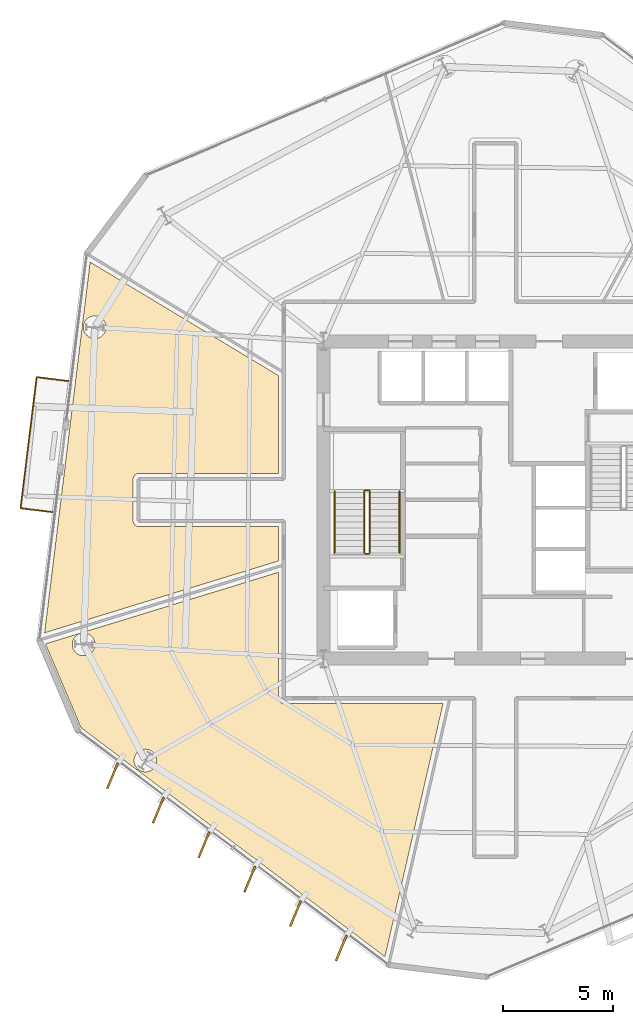
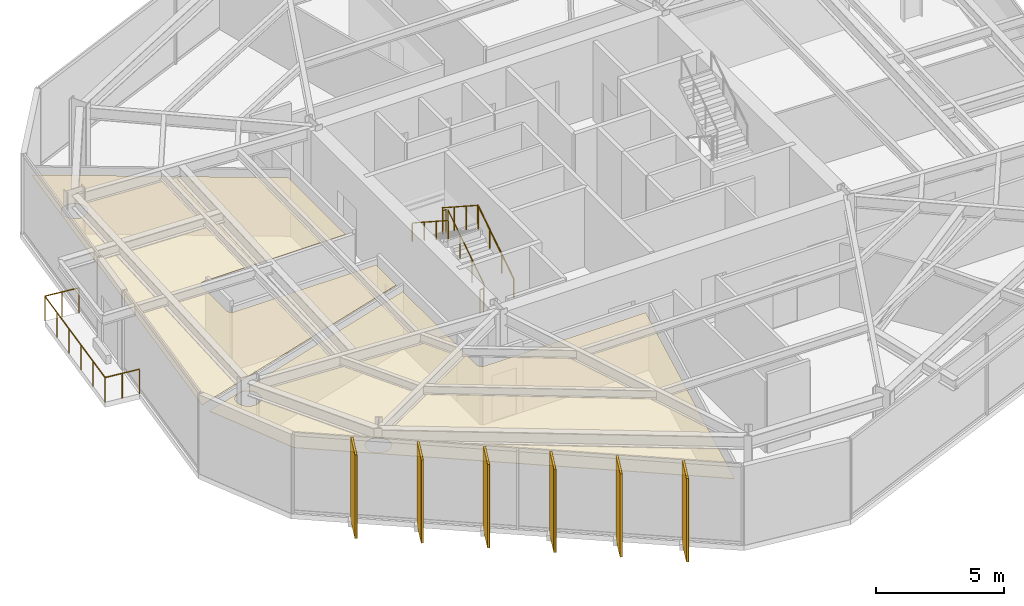
# One storey, part 9 of 11: 8 coverings, 7 railings, 6 shading devices.
"""IFC4 building model written with IfcOpenShell, lengths in metres."""

from ifc_helpers import new_model, si_unit, direction, frame, origin, origin_2d, place, context, subcontext, project, spatial, polyline, rectangle, circle, outline, extrude, material, layer, layer_set, type_object, element, save


model = new_model("IFC4")

# Units and contexts
model_context = context("Model", 3, precision=1e-05, world=origin(), true_north=direction((0.0, 1.0)))
body_context = subcontext(model_context, "Body", "Model", "MODEL_VIEW")
ifc_project = project(units=[si_unit("LENGTHUNIT", "METRE"), si_unit("AREAUNIT", "SQUARE_METRE"), si_unit("VOLUMEUNIT", "CUBIC_METRE"), si_unit("PLANEANGLEUNIT", "RADIAN"), si_unit("MASSUNIT", "GRAM", prefix="KILO")], contexts=[model_context])

# Site, building, storey
site_placement = place(None, origin())
site = spatial("IfcSite", under=ifc_project, at=site_placement, CompositionType="ELEMENT")
building_placement = place(site_placement, origin())
building = spatial("IfcBuilding", under=site, at=building_placement, Name="Kranzbogen Civic Tower", CompositionType="ELEMENT")
storey_placement = place(building_placement, frame((0.0, 0.0, 114.39990234375)))
storey = spatial("IfcBuildingStorey", under=building, at=storey_placement, Name="L27", CompositionType="ELEMENT", Elevation=114.39990234375)

# Coverings
ifc_material_1 = material(Name="Pale Anodised Aluminium", Category="aluminium")
ifc_layer_1 = layer(ifc_material_1, 0.02490234375, Name="Pale Anodised Aluminium")
ifc_layer_set_1 = layer_set([ifc_layer_1], Name="Pale Anodised Aluminium")
covering_type_1 = type_object("IfcCoveringType", Name="Anodised Aluminium Vertical Fin Cladding 25 mm", PredefinedType="CLADDING", material=ifc_layer_set_1)
for number, where, z_axis, x_axis, name in (
    (1, (7.623046875, 12.48095703125, -0.139892578125), (0.0, 0.0, 1.0), (-0.383231606105, -0.923652280938, 0.0), "L27 vertical fin pale-metal cladding F4-1"),
    (2, (9.699951171875, 10.9169921875, -0.139892578125), (0.0, 0.0, 1.0), (-0.383231606105, -0.923652280938, 0.0), "L27 vertical fin pale-metal cladding F4-2"),
    (3, (11.77587890625, 9.35205078125, -0.139892578125), (0.0, 0.0, 1.0), (-0.383231606105, -0.923652280938, 0.0), "L27 vertical fin pale-metal cladding F4-3"),
    (4, (13.85302734375, 7.787109375, -0.139892578125), (0.0, 0.0, 1.0), (-0.383231606105, -0.923652280938, 0.0), "L27 vertical fin pale-metal cladding F4-4"),
    (5, (15.928955078125, 6.222900390625, -0.139892578125), (0.0, 0.0, 1.0), (-0.383231606105, -0.923652280938, 0.0), "L27 vertical fin pale-metal cladding F4-5"),
    (6, (18.006103515625, 4.657958984375, -0.139892578125), (0.0, 0.0, 1.0), (-0.383231606105, -0.923652280938, 0.0), "L27 vertical fin pale-metal cladding F4-6"),
):
    element("IfcCovering", number, at=place(storey_placement, frame(where, z_axis=z_axis, x_axis=x_axis)), inside=storey, type_object=covering_type_1, Name=name, PredefinedType="CLADDING", context=body_context, shape_type="SweptSolid", body=[
        extrude(rectangle(XDim=1.25, YDim=0.10009765625, at=origin_2d()), origin(), (0.0, 0.0, 1.0), 3.9599609375),
    ])

# Shading devices
ifc_material_2 = material(Name="Anodised Bronze Aluminium", Category="aluminium")
shading_device_type = type_object("IfcShadingDeviceType", Name="Anodised Bronze Vertical Facade Fin 1250x80", PredefinedType="USERDEFINED", material=ifc_material_2)
for number, where, z_axis, x_axis, name in (
    (7, (7.623046875, 12.48095703125, -0.139892578125), (0.0, 0.0, 1.0), (-0.383231606105, -0.923652280938, 0.0), "L27 vertical exterior shading fin F4-1"),
    (8, (9.699951171875, 10.9169921875, -0.139892578125), (0.0, 0.0, 1.0), (-0.383231606105, -0.923652280938, 0.0), "L27 vertical exterior shading fin F4-2"),
    (9, (11.77587890625, 9.35205078125, -0.139892578125), (0.0, 0.0, 1.0), (-0.383231606105, -0.923652280938, 0.0), "L27 vertical exterior shading fin F4-3"),
    (10, (13.85302734375, 7.787109375, -0.139892578125), (0.0, 0.0, 1.0), (-0.383231606105, -0.923652280938, 0.0), "L27 vertical exterior shading fin F4-4"),
    (11, (15.928955078125, 6.222900390625, -0.139892578125), (0.0, 0.0, 1.0), (-0.383231606105, -0.923652280938, 0.0), "L27 vertical exterior shading fin F4-5"),
    (12, (18.006103515625, 4.657958984375, -0.139892578125), (0.0, 0.0, 1.0), (-0.383231606105, -0.923652280938, 0.0), "L27 vertical exterior shading fin F4-6"),
):
    element("IfcShadingDevice", number, at=place(storey_placement, frame(where, z_axis=z_axis, x_axis=x_axis)), inside=storey, type_object=shading_device_type, Name=name, ObjectType="FIN", PredefinedType="USERDEFINED", context=body_context, shape_type="SweptSolid", body=[
        extrude(rectangle(XDim=1.25, YDim=0.080078125, at=origin_2d()), origin(), (0.0, 0.0, 1.0), 3.9599609375),
    ])

# Railings
railing_type_1 = type_object("IfcRailingType", Name="Cantilevered Balcony Glass and Bronze Balustrade 1200", PredefinedType="BALUSTRADE", material=ifc_material_2)
railing_1_placement = place(storey_placement, frame((5.614013671875, 30.403076171875, 0.0)))
element("IfcRailing", 13, at=railing_1_placement, inside=storey, type_object=railing_type_1, Name="L27 exterior terrace balustrade L27-TB1", PredefinedType="BALUSTRADE", context=body_context, shape_type="SweptSolid", body=[
    extrude(circle(Radius=0.02392578125, at=origin_2d()), frame((0.0, 0.0, 1.17578125), z_axis=(-0.992519489123, 0.122086296168, 0.0), x_axis=(-0.122086296168, -0.992519489123, 0.0)), (0.0, 0.0, 1.0), 1.44970703125),
    extrude(circle(Radius=0.02392578125, at=origin_2d()), frame((-1.43896484375, 0.177001953125, 1.17578125), z_axis=(-0.121830819037, -0.99255088108, 0.0), x_axis=(0.99255088108, -0.121830819037, 0.0)), (0.0, 0.0, 1.0), 5.999755859375),
    extrude(circle(Radius=0.02392578125, at=origin_2d()), frame((-2.169921875, -5.778076171875, 1.17578125), z_axis=(0.992519489123, -0.122086296168, 0.0), x_axis=(0.122086296168, 0.992519489123, 0.0)), (0.0, 0.0, 1.0), 1.44970703125),
    extrude(circle(Radius=0.02099609375, at=origin_2d()), origin(), (0.0, 0.0, 1.0), 1.15185546875),
    extrude(circle(Radius=0.02099609375, at=origin_2d()), frame((-0.719482421875, 0.08837890625, 0.0)), (0.0, 0.0, 1.0), 1.15185546875),
    extrude(circle(Radius=0.02099609375, at=origin_2d()), frame((-1.43896484375, 0.177001953125, 0.0)), (0.0, 0.0, 1.0), 1.15185546875),
    extrude(circle(Radius=0.02099609375, at=origin_2d()), frame((-1.585205078125, -1.013916015625, 0.0)), (0.0, 0.0, 1.0), 1.15185546875),
    extrude(circle(Radius=0.02099609375, at=origin_2d()), frame((-1.7314453125, -2.205078125, 0.0)), (0.0, 0.0, 1.0), 1.15185546875),
    extrude(circle(Radius=0.02099609375, at=origin_2d()), frame((-1.87744140625, -3.39599609375, 0.0)), (0.0, 0.0, 1.0), 1.15185546875),
    extrude(circle(Radius=0.02099609375, at=origin_2d()), frame((-2.023681640625, -4.587158203125, 0.0)), (0.0, 0.0, 1.0), 1.15185546875),
    extrude(circle(Radius=0.02099609375, at=origin_2d()), frame((-2.169921875, -5.778076171875, 0.0)), (0.0, 0.0, 1.0), 1.15185546875),
    extrude(circle(Radius=0.02099609375, at=origin_2d()), frame((-1.450439453125, -5.86669921875, 0.0)), (0.0, 0.0, 1.0), 1.15185546875),
    extrude(circle(Radius=0.02099609375, at=origin_2d()), frame((-0.73095703125, -5.955078125, 0.0)), (0.0, 0.0, 1.0), 1.15185546875),
])
ifc_material_3 = material(Name="Steel S355", Category="steel")
railing_type_2 = type_object("IfcRailingType", Name="Internal Stair and Void Steel Guardrail 1150", PredefinedType="GUARDRAIL", material=ifc_material_3)
railing_2_placement = place(storey_placement, frame((19.300048828125, 22.60009765625, 0.181884765625)))
element("IfcRailing", 14, at=railing_2_placement, inside=storey, type_object=railing_type_2, Name="L27 ST-T1 stair guard 1", PredefinedType="GUARDRAIL", context=body_context, shape_type="SweptSolid", body=[
    extrude(circle(Radius=0.02392578125, at=origin_2d()), frame((0.0, 0.0, 1.1259765625), z_axis=(0.0, 0.83868413941, 0.544618136222), x_axis=(-1.0, 0.0, 0.0)), (0.0, 0.0, 1.0), 3.33837890625),
    extrude(circle(Radius=0.02099609375, at=origin_2d()), origin(), (0.0, 0.0, 1.0), 1.101806640625),
    extrude(circle(Radius=0.02099609375, at=origin_2d()), frame((0.0, 0.933349609375, 0.60595703125)), (0.0, 0.0, 1.0), 1.101806640625),
    extrude(circle(Radius=0.02099609375, at=origin_2d()), frame((0.0, 1.866455078125, 1.212158203125)), (0.0, 0.0, 1.0), 1.101806640625),
    extrude(circle(Radius=0.02099609375, at=origin_2d()), frame((0.0, 2.7998046875, 1.818115234375)), (0.0, 0.0, 1.0), 1.101806640625),
])
railing_3_placement = place(storey_placement, frame((19.25, 25.449951171875, 2.0)))
element("IfcRailing", 15, at=railing_3_placement, inside=storey, type_object=railing_type_2, Name="L27 ST-T1 stair guard 2", PredefinedType="GUARDRAIL", context=body_context, shape_type="SweptSolid", body=[
    extrude(circle(Radius=0.02392578125, at=origin_2d()), frame((0.0, 0.0, 1.1259765625), z_axis=(-1.0, 0.0, 0.0), x_axis=(0.0, -1.0, 0.0)), (0.0, 0.0, 1.0), 0.14990234375),
    extrude(circle(Radius=0.02099609375, at=origin_2d()), origin(), (0.0, 0.0, 1.0), 1.101806640625),
    extrude(circle(Radius=0.02099609375, at=origin_2d()), frame((-0.14990234375, 0.0, 0.0)), (0.0, 0.0, 1.0), 1.101806640625),
])
railing_4_placement = place(storey_placement, frame((19.050048828125, 25.39990234375, 2.181884765625)))
element("IfcRailing", 16, at=railing_4_placement, inside=storey, type_object=railing_type_2, Name="L27 ST-T1 stair guard 3", PredefinedType="GUARDRAIL", context=body_context, shape_type="SweptSolid", body=[
    extrude(circle(Radius=0.02392578125, at=origin_2d()), frame((0.0, 0.0, 1.1259765625), z_axis=(0.0, -0.83868413941, 0.544618136222), x_axis=(1.0, 0.0, 0.0)), (0.0, 0.0, 1.0), 3.33837890625),
    extrude(circle(Radius=0.02099609375, at=origin_2d()), origin(), (0.0, 0.0, 1.0), 1.101806640625),
    extrude(circle(Radius=0.02099609375, at=origin_2d()), frame((0.0, -0.933349609375, 0.60595703125)), (0.0, 0.0, 1.0), 1.101806640625),
    extrude(circle(Radius=0.02099609375, at=origin_2d()), frame((0.0, -1.866455078125, 1.212158203125)), (0.0, 0.0, 1.0), 1.101806640625),
    extrude(circle(Radius=0.02099609375, at=origin_2d()), frame((0.0, -2.7998046875, 1.818115234375)), (0.0, 0.0, 1.0), 1.101806640625),
])
railing_5_placement = place(storey_placement, frame((19.25, 22.550048828125, 0.0)))
element("IfcRailing", 17, at=railing_5_placement, inside=storey, type_object=railing_type_2, Name="L27 ST-T1 stair guard 4", PredefinedType="GUARDRAIL", context=body_context, shape_type="SweptSolid", body=[
    extrude(circle(Radius=0.02392578125, at=origin_2d()), frame((0.0, 0.0, 1.1259765625), z_axis=(-1.0, 0.0, 0.0), x_axis=(0.0, -1.0, 0.0)), (0.0, 0.0, 1.0), 0.14990234375),
    extrude(circle(Radius=0.02099609375, at=origin_2d()), origin(), (0.0, 0.0, 1.0), 1.101806640625),
    extrude(circle(Radius=0.02099609375, at=origin_2d()), frame((-0.14990234375, 0.0, 0.0)), (0.0, 0.0, 1.0), 1.101806640625),
])

# Coverings
ifc_material_4 = material(Name="Perforated Acoustic Gypsum Ceiling")
ifc_layer_2 = layer(ifc_material_4, 0.02490234375, Name="Perforated Acoustic Gypsum Ceiling")
ifc_layer_set_2 = layer_set([ifc_layer_2], Name="Perforated Acoustic Gypsum Ceiling")
covering_type_2 = type_object("IfcCoveringType", Name="Perforated Acoustic Mineral Ceiling Tile 25 mm", PredefinedType="CEILING", material=ifc_layer_set_2)
covering_1_placement = place(storey_placement, frame((0.0, 0.0, 2.900146484375)))
element("IfcCovering", 18, at=covering_1_placement, inside=storey, type_object=covering_type_2, Name="L27 Executive Briefing Conference Room acoustic ceiling", PredefinedType="CEILING", context=body_context, shape_type="SweptSolid", body=[
    extrude(outline(polyline([(4.573974609375, 18.468994140625), (15.155029296875, 21.719970703125), (15.155029296875, 16.0), (15.155029296875, 15.990966796875), (15.156005859375, 15.985107421875), (15.156982421875, 15.967041015625), (15.157958984375, 15.9609375), (15.162109375, 15.944091796875), (15.1630859375, 15.93701171875), (15.16796875, 15.919921875), (15.169921875, 15.9140625), (15.177001953125, 15.89794921875), (15.179931640625, 15.89208984375), (15.18798828125, 15.876953125), (15.19189453125, 15.87109375), (15.200927734375, 15.85693359375), (15.205078125, 15.85205078125), (15.216064453125, 15.837890625), (15.220947265625, 15.8330078125), (15.23291015625, 15.821044921875), (15.238037109375, 15.81591796875), (15.251953125, 15.804931640625), (15.257080078125, 15.801025390625), (15.27099609375, 15.7919921875), (15.277099609375, 15.7880859375), (15.2919921875, 15.780029296875), (15.298095703125, 15.777099609375), (15.31396484375, 15.77001953125), (15.320068359375, 15.76806640625), (15.3369140625, 15.762939453125), (15.343994140625, 15.761962890625), (15.361083984375, 15.758056640625), (15.366943359375, 15.757080078125), (15.385009765625, 15.756103515625), (15.39111328125, 15.7548828125), (15.39990234375, 15.7548828125), (22.626953125, 15.7548828125), (19.989990234375, 4.263916015625), (6.18798828125, 14.6650390625), (4.573974609375, 18.468994140625)]), holes=[polyline([(9.589111328125, 12.97412109375), (9.568115234375, 12.928955078125), (9.5419921875, 12.885009765625), (9.511962890625, 12.844970703125), (9.47802734375, 12.806884765625), (9.43994140625, 12.77294921875), (9.39990234375, 12.742919921875), (9.35595703125, 12.717041015625), (9.31103515625, 12.696044921875), (9.262939453125, 12.678955078125), (9.214111328125, 12.6669921875), (9.1640625, 12.658935546875), (9.114013671875, 12.656982421875), (9.06396484375, 12.658935546875), (9.013916015625, 12.6669921875), (8.965087890625, 12.678955078125), (8.9169921875, 12.696044921875), (8.8720703125, 12.717041015625), (8.827880859375, 12.742919921875), (8.7880859375, 12.77294921875), (8.75, 12.806884765625), (8.716064453125, 12.844970703125), (8.68603515625, 12.885009765625), (8.659912109375, 12.928955078125), (8.638916015625, 12.97412109375), (8.6220703125, 13.02197265625), (8.610107421875, 13.071044921875), (8.60205078125, 13.12109375), (8.60009765625, 13.1708984375), (8.60205078125, 13.220947265625), (8.610107421875, 13.27099609375), (8.6220703125, 13.320068359375), (8.638916015625, 13.367919921875), (8.659912109375, 13.4130859375), (8.68603515625, 13.45703125), (8.716064453125, 13.4970703125), (8.75, 13.534912109375), (8.7880859375, 13.569091796875), (8.827880859375, 13.59912109375), (8.8720703125, 13.625), (8.9169921875, 13.64599609375), (8.965087890625, 13.6630859375), (9.013916015625, 13.675048828125), (9.06396484375, 13.68310546875), (9.114013671875, 13.68505859375), (9.1640625, 13.68310546875), (9.214111328125, 13.675048828125), (9.262939453125, 13.6630859375), (9.31103515625, 13.64599609375), (9.35595703125, 13.625), (9.39990234375, 13.59912109375), (9.43994140625, 13.569091796875), (9.47802734375, 13.534912109375), (9.511962890625, 13.4970703125), (9.5419921875, 13.45703125), (9.568115234375, 13.4130859375), (9.589111328125, 13.367919921875), (9.60595703125, 13.320068359375), (9.617919921875, 13.27099609375), (9.6259765625, 13.220947265625), (9.6279296875, 13.1708984375), (9.6259765625, 13.12109375), (9.617919921875, 13.071044921875), (9.60595703125, 13.02197265625), (9.589111328125, 12.97412109375)]), polyline([(6.784912109375, 18.2470703125), (6.763916015625, 18.201904296875), (6.738037109375, 18.157958984375), (6.7080078125, 18.117919921875), (6.674072265625, 18.080078125), (6.635986328125, 18.0458984375), (6.595947265625, 18.01611328125), (6.552001953125, 17.989990234375), (6.507080078125, 17.968994140625), (6.458984375, 17.951904296875), (6.409912109375, 17.93994140625), (6.360107421875, 17.931884765625), (6.31005859375, 17.929931640625), (6.260009765625, 17.931884765625), (6.2099609375, 17.93994140625), (6.160888671875, 17.951904296875), (6.113037109375, 17.968994140625), (6.068115234375, 17.989990234375), (6.02392578125, 18.01611328125), (5.98388671875, 18.0458984375), (5.946044921875, 18.080078125), (5.912109375, 18.117919921875), (5.882080078125, 18.157958984375), (5.85595703125, 18.201904296875), (5.8349609375, 18.2470703125), (5.818115234375, 18.294921875), (5.805908203125, 18.343994140625), (5.798095703125, 18.39404296875), (5.7958984375, 18.444091796875), (5.798095703125, 18.493896484375), (5.805908203125, 18.5439453125), (5.818115234375, 18.593017578125), (5.8349609375, 18.64111328125), (5.85595703125, 18.68603515625), (5.882080078125, 18.72998046875), (5.912109375, 18.77001953125), (5.946044921875, 18.80810546875), (5.98388671875, 18.842041015625), (6.02392578125, 18.8720703125), (6.068115234375, 18.89794921875), (6.113037109375, 18.9189453125), (6.160888671875, 18.93603515625), (6.2099609375, 18.947998046875), (6.260009765625, 18.9560546875), (6.31005859375, 18.9580078125), (6.360107421875, 18.9560546875), (6.409912109375, 18.947998046875), (6.458984375, 18.93603515625), (6.507080078125, 18.9189453125), (6.552001953125, 18.89794921875), (6.595947265625, 18.8720703125), (6.635986328125, 18.842041015625), (6.674072265625, 18.80810546875), (6.7080078125, 18.77001953125), (6.738037109375, 18.72998046875), (6.763916015625, 18.68603515625), (6.784912109375, 18.64111328125), (6.802001953125, 18.593017578125), (6.81396484375, 18.5439453125), (6.822021484375, 18.493896484375), (6.823974609375, 18.444091796875), (6.822021484375, 18.39404296875), (6.81396484375, 18.343994140625), (6.802001953125, 18.294921875), (6.784912109375, 18.2470703125)])]), origin(), (0.0, 0.0, 1.0), 0.02490234375),
])
covering_2_placement = place(storey_placement, frame((0.0, 0.0, 2.900146484375)))
element("IfcCovering", 19, at=covering_2_placement, inside=storey, type_object=covering_type_2, Name="L27 Public Delegation Reception acoustic ceiling", PredefinedType="CEILING", context=body_context, shape_type="SweptSolid", body=[
    extrude(outline(polyline([(15.155029296875, 30.64697265625), (15.155029296875, 26.195068359375), (8.800048828125, 26.195068359375), (8.791015625, 26.195068359375), (8.784912109375, 26.194091796875), (8.76708984375, 26.193115234375), (8.760986328125, 26.19189453125), (8.743896484375, 26.18798828125), (8.737060546875, 26.18701171875), (8.719970703125, 26.181884765625), (8.714111328125, 26.179931640625), (8.697998046875, 26.173095703125), (8.69189453125, 26.169921875), (8.677001953125, 26.162109375), (8.6708984375, 26.157958984375), (8.656982421875, 26.14892578125), (8.652099609375, 26.14501953125), (8.637939453125, 26.134033203125), (8.633056640625, 26.12890625), (8.62109375, 26.116943359375), (8.615966796875, 26.112060546875), (8.60498046875, 26.097900390625), (8.60107421875, 26.093017578125), (8.592041015625, 26.0791015625), (8.587890625, 26.072998046875), (8.580078125, 26.05810546875), (8.576904296875, 26.052001953125), (8.570068359375, 26.035888671875), (8.568115234375, 26.030029296875), (8.56298828125, 26.012939453125), (8.56201171875, 26.006103515625), (8.55810546875, 25.989013671875), (8.556884765625, 25.98291015625), (8.555908203125, 25.965087890625), (8.554931640625, 25.958984375), (8.554931640625, 25.949951171875), (8.554931640625, 24.050048828125), (8.554931640625, 24.041015625), (8.555908203125, 24.034912109375), (8.556884765625, 24.01708984375), (8.55810546875, 24.010986328125), (8.56201171875, 23.993896484375), (8.56298828125, 23.987060546875), (8.568115234375, 23.969970703125), (8.570068359375, 23.964111328125), (8.576904296875, 23.947998046875), (8.580078125, 23.94189453125), (8.587890625, 23.927001953125), (8.592041015625, 23.9208984375), (8.60107421875, 23.906982421875), (8.60498046875, 23.902099609375), (8.615966796875, 23.887939453125), (8.62109375, 23.883056640625), (8.633056640625, 23.87109375), (8.637939453125, 23.865966796875), (8.652099609375, 23.85498046875), (8.656982421875, 23.85107421875), (8.6708984375, 23.842041015625), (8.677001953125, 23.837890625), (8.69189453125, 23.830078125), (8.697998046875, 23.826904296875), (8.714111328125, 23.820068359375), (8.719970703125, 23.818115234375), (8.737060546875, 23.81298828125), (8.743896484375, 23.81201171875), (8.760986328125, 23.80810546875), (8.76708984375, 23.806884765625), (8.784912109375, 23.805908203125), (8.791015625, 23.804931640625), (8.800048828125, 23.804931640625), (15.155029296875, 23.804931640625), (15.155029296875, 22.23193359375), (4.5380859375, 18.970947265625), (6.60400390625, 35.800048828125), (15.155029296875, 30.64697265625)]), holes=[polyline([(7.2880859375, 32.64697265625), (7.26708984375, 32.60205078125), (7.240966796875, 32.55810546875), (7.2109375, 32.51806640625), (7.177001953125, 32.47998046875), (7.138916015625, 32.446044921875), (7.09912109375, 32.416015625), (7.054931640625, 32.389892578125), (7.010009765625, 32.368896484375), (6.9619140625, 32.35205078125), (6.9130859375, 32.340087890625), (6.863037109375, 32.33203125), (6.81298828125, 32.330078125), (6.762939453125, 32.33203125), (6.712890625, 32.340087890625), (6.6640625, 32.35205078125), (6.615966796875, 32.368896484375), (6.571044921875, 32.389892578125), (6.527099609375, 32.416015625), (6.487060546875, 32.446044921875), (6.448974609375, 32.47998046875), (6.4150390625, 32.51806640625), (6.385009765625, 32.55810546875), (6.35888671875, 32.60205078125), (6.337890625, 32.64697265625), (6.321044921875, 32.695068359375), (6.30908203125, 32.743896484375), (6.301025390625, 32.7939453125), (6.299072265625, 32.843994140625), (6.301025390625, 32.89404296875), (6.30908203125, 32.944091796875), (6.321044921875, 32.992919921875), (6.337890625, 33.041015625), (6.35888671875, 33.0859375), (6.385009765625, 33.1298828125), (6.4150390625, 33.169921875), (6.448974609375, 33.2080078125), (6.487060546875, 33.241943359375), (6.527099609375, 33.27197265625), (6.571044921875, 33.298095703125), (6.615966796875, 33.319091796875), (6.6640625, 33.3359375), (6.712890625, 33.347900390625), (6.762939453125, 33.35595703125), (6.81298828125, 33.35791015625), (6.863037109375, 33.35595703125), (6.9130859375, 33.347900390625), (6.9619140625, 33.3359375), (7.010009765625, 33.319091796875), (7.054931640625, 33.298095703125), (7.09912109375, 33.27197265625), (7.138916015625, 33.241943359375), (7.177001953125, 33.2080078125), (7.2109375, 33.169921875), (7.240966796875, 33.1298828125), (7.26708984375, 33.0859375), (7.2880859375, 33.041015625), (7.304931640625, 32.992919921875), (7.31689453125, 32.944091796875), (7.324951171875, 32.89404296875), (7.326904296875, 32.843994140625), (7.324951171875, 32.7939453125), (7.31689453125, 32.743896484375), (7.304931640625, 32.695068359375), (7.2880859375, 32.64697265625)])]), origin(), (0.0, 0.0, 1.0), 0.02490234375),
])

# Railings
railing_type_3 = type_object("IfcRailingType", Name="Tubular Stainless Stair Wall Handrail 900", PredefinedType="HANDRAIL", material=ifc_material_1)
railing_6_placement = place(storey_placement, frame((20.64990234375, 22.60009765625, 0.181884765625)))
element("IfcRailing", 20, at=railing_6_placement, inside=storey, type_object=railing_type_3, Name="L27 ST-T1 stair handrail 1", PredefinedType="HANDRAIL", context=body_context, shape_type="SweptSolid", body=[
    extrude(circle(Radius=0.02392578125, at=origin_2d()), frame((0.0, 0.0, 0.8759765625), z_axis=(0.0, 0.83868413941, 0.544618136222), x_axis=(-1.0, 0.0, 0.0)), (0.0, 0.0, 1.0), 3.33837890625),
    extrude(circle(Radius=0.02099609375, at=origin_2d()), origin(), (0.0, 0.0, 1.0), 0.851806640625),
    extrude(circle(Radius=0.02099609375, at=origin_2d()), frame((0.0, 0.933349609375, 0.60595703125)), (0.0, 0.0, 1.0), 0.851806640625),
    extrude(circle(Radius=0.02099609375, at=origin_2d()), frame((0.0, 1.866455078125, 1.212158203125)), (0.0, 0.0, 1.0), 0.851806640625),
    extrude(circle(Radius=0.02099609375, at=origin_2d()), frame((0.0, 2.7998046875, 1.818115234375)), (0.0, 0.0, 1.0), 0.851806640625),
])
railing_7_placement = place(storey_placement, frame((17.699951171875, 25.39990234375, 2.181884765625)))
element("IfcRailing", 21, at=railing_7_placement, inside=storey, type_object=railing_type_3, Name="L27 ST-T1 stair handrail 2", PredefinedType="HANDRAIL", context=body_context, shape_type="SweptSolid", body=[
    extrude(circle(Radius=0.02392578125, at=origin_2d()), frame((0.0, 0.0, 0.8759765625), z_axis=(0.0, -0.83868413941, 0.544618136222), x_axis=(1.0, 0.0, 0.0)), (0.0, 0.0, 1.0), 3.33837890625),
    extrude(circle(Radius=0.02099609375, at=origin_2d()), origin(), (0.0, 0.0, 1.0), 0.851806640625),
    extrude(circle(Radius=0.02099609375, at=origin_2d()), frame((0.0, -0.933349609375, 0.60595703125)), (0.0, 0.0, 1.0), 0.851806640625),
    extrude(circle(Radius=0.02099609375, at=origin_2d()), frame((0.0, -1.866455078125, 1.212158203125)), (0.0, 0.0, 1.0), 0.851806640625),
    extrude(circle(Radius=0.02099609375, at=origin_2d()), frame((0.0, -2.7998046875, 1.818115234375)), (0.0, 0.0, 1.0), 0.851806640625),
])

save(model, "model.ifc")
